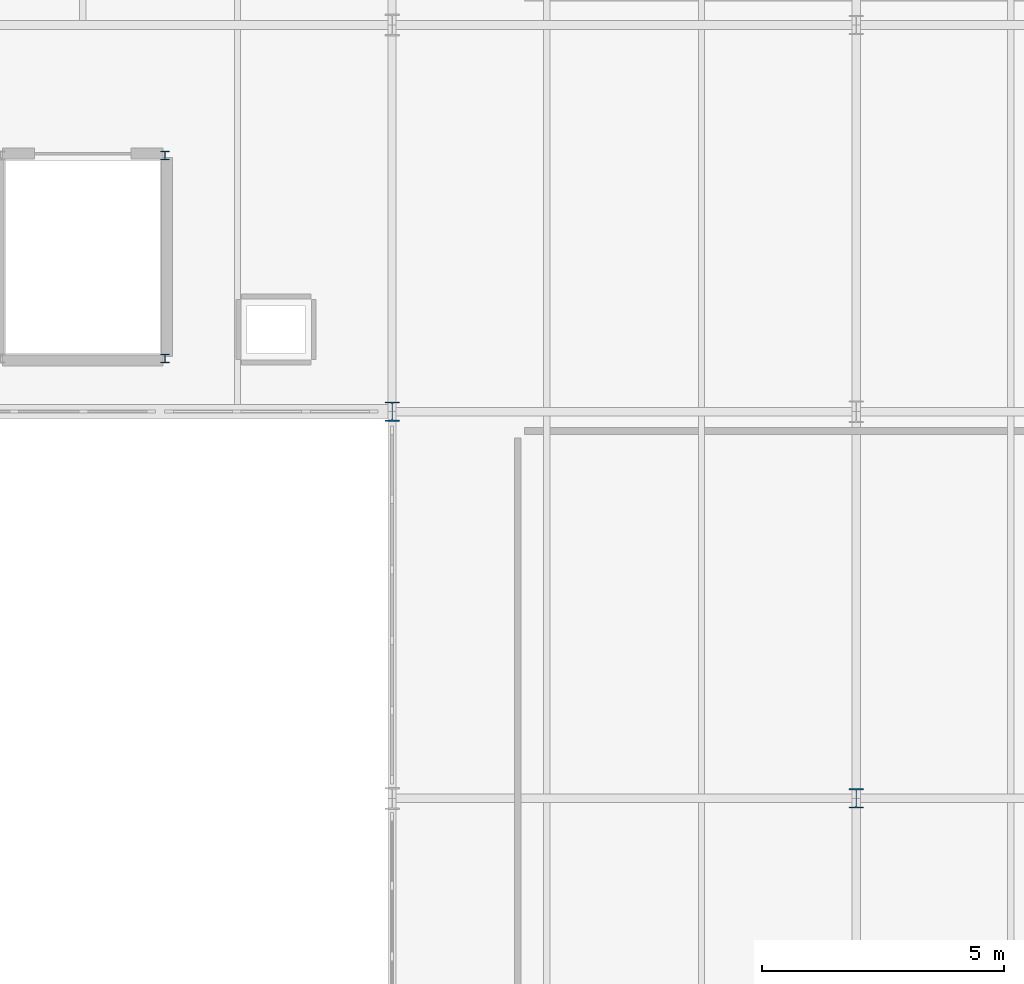
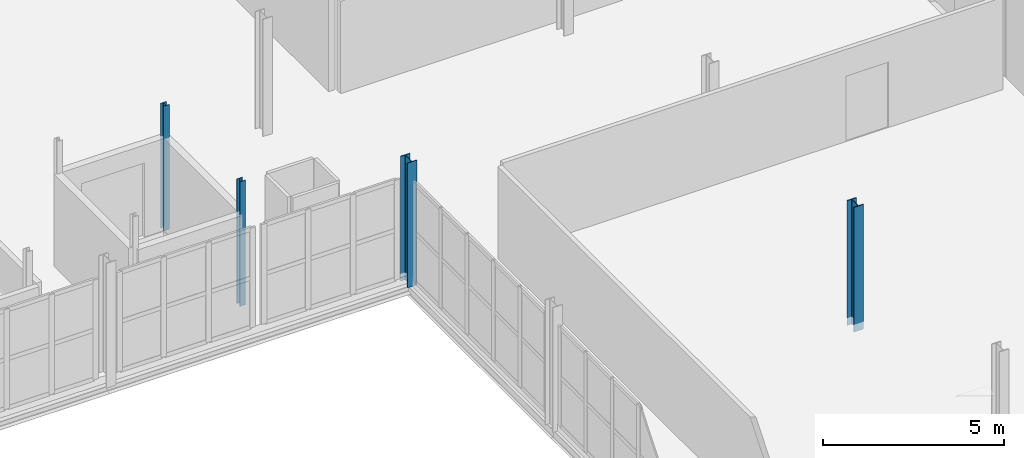
# One storey, part 21 of 85: 4 columns.
"""IFC4 building model written with IfcOpenShell, lengths in metres."""

from ifc_helpers import new_model, si_unit, direction, frame, origin, origin_2d, place, context, subcontext, project, spatial, i_section, extrude, material, material_profile, profile_set, type_object, element, save


model = new_model("IFC4")

# Units and contexts
model_context = context("Model", 3, precision=1e-05, world=origin(), true_north=direction((0.0, 1.0)))
body_context = subcontext(model_context, "Body", "Model", "MODEL_VIEW")
ifc_project = project(units=[si_unit("LENGTHUNIT", "METRE"), si_unit("AREAUNIT", "SQUARE_METRE"), si_unit("VOLUMEUNIT", "CUBIC_METRE"), si_unit("PLANEANGLEUNIT", "RADIAN"), si_unit("MASSUNIT", "GRAM", prefix="KILO")], contexts=[model_context])

# Site, building, storey
site_placement = place(None, origin())
site = spatial("IfcSite", under=ifc_project, at=site_placement, CompositionType="ELEMENT")
building_placement = place(site_placement, origin())
building = spatial("IfcBuilding", under=site, at=building_placement, Name="Alderhovde Museum", CompositionType="ELEMENT")
storey_placement = place(building_placement, frame((0.0, 0.0, 8.699951171875)))
storey = spatial("IfcBuildingStorey", under=building, at=storey_placement, Name="L02", CompositionType="ELEMENT", Elevation=8.699951171875)

# Columns
ifc_material_1 = material(Name="Steel S355J2", Category="steel")
ifc_material_profile_1 = material_profile(ifc_material_1, i_section(OverallWidth=0.179931640625, OverallDepth=0.1708984375, WebThickness=0.006103515625, FlangeThickness=0.009521484375, FilletRadius=0.014892578125, at=origin_2d()), Name="HEA 180")
ifc_profile_set_1 = profile_set([ifc_material_profile_1], Name="Steel S355J2")
column_type_1 = type_object("IfcColumnType", Name="COL-HEA180", PredefinedType="COLUMN", material=ifc_profile_set_1)
for number, where, z_axis, x_axis, name in (
    (1, (139.300048828125, 73.10009765625, 0.0), (0.0, 0.0, 1.0), (1.0, 0.0, 0.0), "L02 Lift GL-01 Shaft Column 2"),
    (2, (139.300048828125, 77.300048828125, 0.0), (0.0, 0.0, 1.0), (1.0, 0.0, 0.0), "L02 Lift GL-01 Shaft Column 3"),
):
    element("IfcColumn", number, at=place(storey_placement, frame(where, z_axis=z_axis, x_axis=x_axis)), inside=storey, type_object=column_type_1, Name=name, PredefinedType="COLUMN", context=body_context, shape_type="SweptSolid", body=[
        extrude(i_section(OverallWidth=0.179931640625, OverallDepth=0.1708984375, WebThickness=0.006103515625, FlangeThickness=0.009521484375, FilletRadius=0.014892578125, at=origin_2d()), origin(), (0.0, 0.0, 1.0), 4.199951171875),
    ])
ifc_material_2 = material(Name="Steel S355J2", Category="steel")
ifc_material_profile_2 = material_profile(ifc_material_2, i_section(OverallWidth=0.300048828125, OverallDepth=0.39990234375, WebThickness=0.013427734375, FlangeThickness=0.02392578125, FilletRadius=0.027099609375, at=origin_2d()), Name="HEB 400")
ifc_profile_set_2 = profile_set([ifc_material_profile_2], Name="Steel S355J2")
column_type_2 = type_object("IfcColumnType", Name="COL-HEB400", PredefinedType="COLUMN", material=ifc_profile_set_2)
for number, where, z_axis, x_axis, name in (
    (3, (144.0, 72.0, -0.260009765625), (0.0, 0.0, 1.0), (1.0, 0.0, 0.0), "L02 Column (144.0, 72.0)"),
    (4, (153.60009765625, 64.0, -0.260009765625), (0.0, 0.0, 1.0), (1.0, 0.0, 0.0), "L02 Column (153.6, 64.0)"),
):
    element("IfcColumn", number, at=place(storey_placement, frame(where, z_axis=z_axis, x_axis=x_axis)), inside=storey, type_object=column_type_2, Name=name, PredefinedType="COLUMN", context=body_context, shape_type="SweptSolid", body=[
        extrude(i_section(OverallWidth=0.300048828125, OverallDepth=0.39990234375, WebThickness=0.013427734375, FlangeThickness=0.02392578125, FilletRadius=0.027099609375, at=origin_2d()), origin(), (0.0, 0.0, 1.0), 4.199951171875),
    ])

save(model, "model.ifc")
